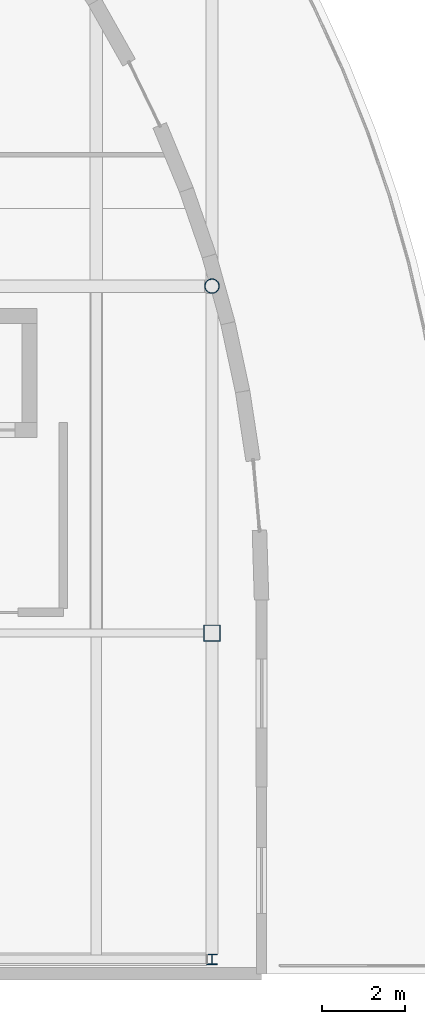
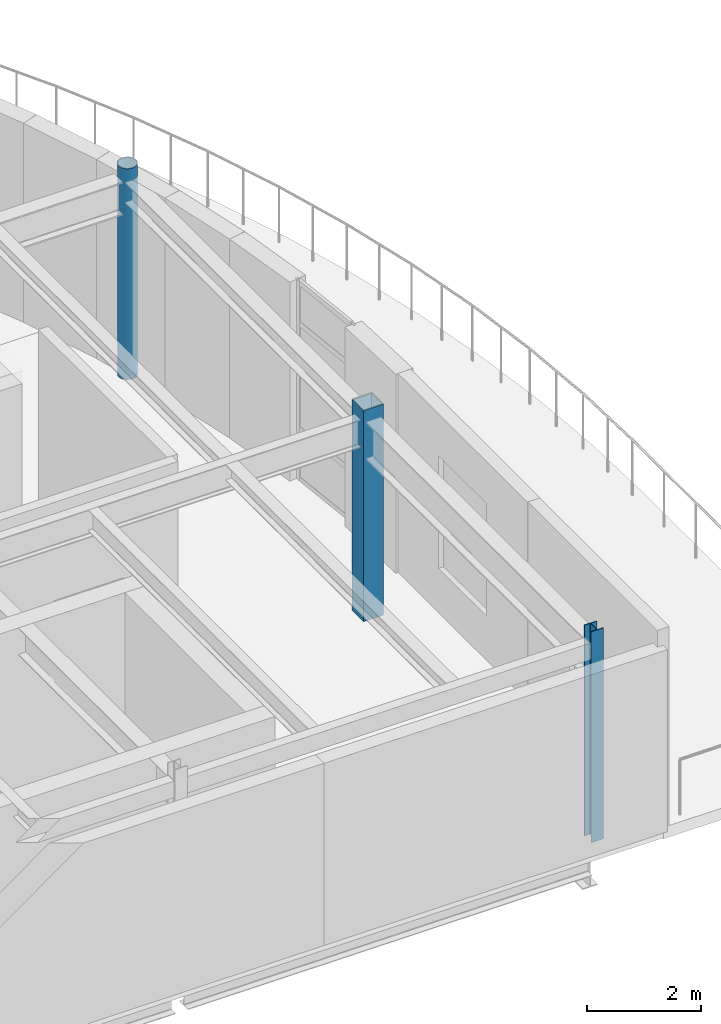
# One storey, part 3 of 26: 3 columns.
"""IFC4 building model written with IfcOpenShell, lengths in metres."""

from ifc_helpers import new_model, si_unit, direction, frame, origin, origin_2d, place, context, subcontext, project, spatial, hollow_rectangle, hollow_circle, i_section, extrude, material, material_profile, profile_set, type_object, element, save


model = new_model("IFC4")

# Units and contexts
model_context = context("Model", 3, precision=1e-05, world=origin(), true_north=direction((0.0, 1.0)))
body_context = subcontext(model_context, "Body", "Model", "MODEL_VIEW")
ifc_project = project(units=[si_unit("LENGTHUNIT", "METRE"), si_unit("AREAUNIT", "SQUARE_METRE"), si_unit("VOLUMEUNIT", "CUBIC_METRE"), si_unit("PLANEANGLEUNIT", "RADIAN"), si_unit("MASSUNIT", "GRAM", prefix="KILO"), si_unit("THERMODYNAMICTEMPERATUREUNIT", "KELVIN")], contexts=[model_context])

# Site, building, storey
site_placement = place(None, origin())
site = spatial("IfcSite", under=ifc_project, at=site_placement, CompositionType="ELEMENT")
building_placement = place(site_placement, origin())
building = spatial("IfcBuilding", under=site, at=building_placement, Name="Lustrewick Department Store", CompositionType="ELEMENT")
storey_placement = place(building_placement, frame((0.0, 0.0, 36.300048828125)))
storey = spatial("IfcBuildingStorey", under=building, at=storey_placement, Name="L08", CompositionType="ELEMENT", Elevation=36.300048828125)

# Columns
ifc_material = material(Name="Structural steel Q355B", Category="steel")
ifc_material_profile_1 = material_profile(ifc_material, hollow_rectangle(XDim=0.39990234375, YDim=0.39990234375, WallThickness=0.01611328125, at=origin_2d()), Name="BOX 400x400x16")
ifc_profile_set_1 = profile_set([ifc_material_profile_1], Name="Structural steel Q355B")
column_type_1 = type_object("IfcColumnType", Name="C08", PredefinedType="COLUMN", material=ifc_profile_set_1)
column_1_placement = place(storey_placement, frame((142.800048828125, 58.800048828125, 0.0), z_axis=(0.0, 0.0, 1.0), x_axis=(1.0, 0.0, 0.0)))
element("IfcColumn", 1, at=column_1_placement, inside=storey, type_object=column_type_1, Name="L08 V4 Column C08", PredefinedType="COLUMN", context=body_context, shape_type="SweptSolid", body=[
    extrude(hollow_rectangle(XDim=0.39990234375, YDim=0.39990234375, WallThickness=0.01611328125, at=origin_2d()), origin(), (0.0, 0.0, 1.0), 4.5),
])
ifc_material_profile_2 = material_profile(ifc_material, hollow_circle(Radius=0.177978515625, WallThickness=0.013916015625, at=origin_2d()), Name="CHS 356x14")
ifc_profile_set_2 = profile_set([ifc_material_profile_2], Name="Structural steel Q355B")
column_type_2 = type_object("IfcColumnType", Name="CE05", PredefinedType="COLUMN", material=ifc_profile_set_2)
column_2_placement = place(storey_placement, frame((142.800048828125, 67.199951171875, 0.0), z_axis=(0.0, 0.0, 1.0), x_axis=(1.0, 0.0, 0.0)))
element("IfcColumn", 2, at=column_2_placement, inside=storey, type_object=column_type_2, Name="L08 V4 Column CE05", PredefinedType="COLUMN", context=body_context, shape_type="SweptSolid", body=[
    extrude(hollow_circle(Radius=0.177978515625, WallThickness=0.013916015625, at=origin_2d()), origin(), (0.0, 0.0, 1.0), 4.5),
])
ifc_material_profile_3 = material_profile(ifc_material, i_section(OverallWidth=0.25, OverallDepth=0.25, WebThickness=0.009033203125, FlangeThickness=0.013916015625, FilletRadius=0.01611328125, at=origin_2d()), Name="HW 250x250x9x14")
ifc_profile_set_3 = profile_set([ifc_material_profile_3], Name="Structural steel Q355B")
column_type_3 = type_object("IfcColumnType", Name="CE08", PredefinedType="COLUMN", material=ifc_profile_set_3)
column_3_placement = place(storey_placement, frame((142.800048828125, 50.89990234375, 0.0), z_axis=(0.0, 0.0, 1.0), x_axis=(1.0, 0.0, 0.0)))
element("IfcColumn", 3, at=column_3_placement, inside=storey, type_object=column_type_3, Name="L08 V4 Column CE08", PredefinedType="COLUMN", context=body_context, shape_type="SweptSolid", body=[
    extrude(i_section(OverallWidth=0.25, OverallDepth=0.25, WebThickness=0.009033203125, FlangeThickness=0.013916015625, FilletRadius=0.01611328125, at=origin_2d()), origin(), (0.0, 0.0, 1.0), 4.5),
])

save(model, "model.ifc")
